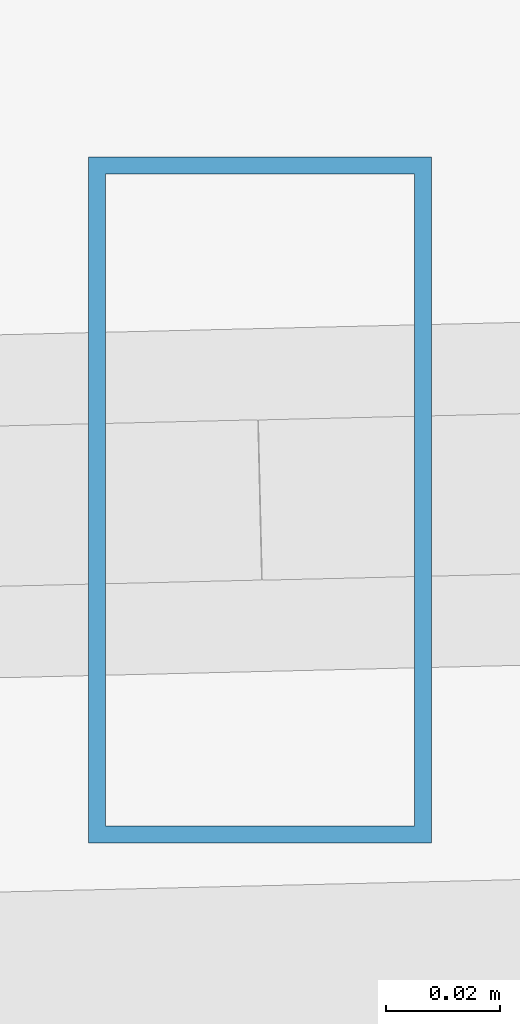
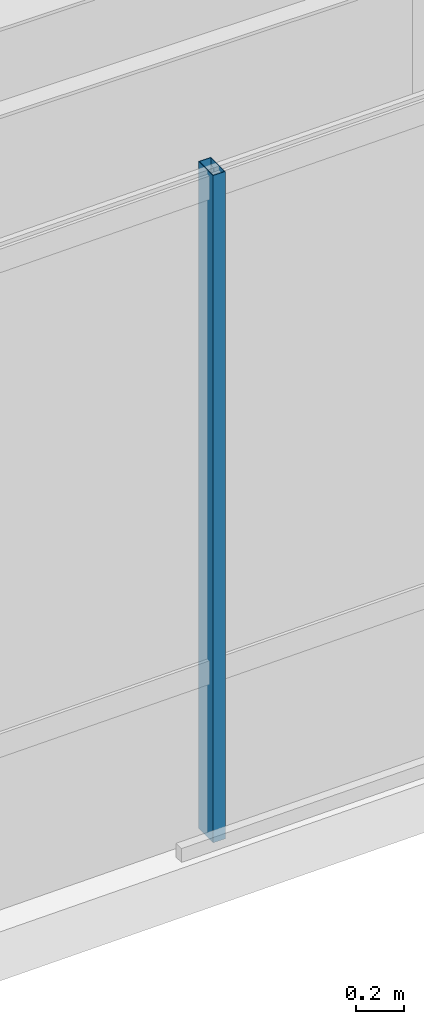
# One storey, part 5 of 45: 1 member, 1 element without a shape of its own.
"""IFC4 building model written with IfcOpenShell, lengths in metres."""

from ifc_helpers import new_model, si_unit, direction, frame, origin, origin_2d, place, context, subcontext, project, spatial, hollow_rectangle, extrude, source, transform, mapped, material, material_profile, profile_set, type_object, type_shapes, element, aggregate, save


model = new_model("IFC4")

# Units and contexts
model_context = context("Model", 3, precision=1e-05, world=origin(), true_north=direction((0.0, 1.0)))
body_context = subcontext(model_context, "Body", "Model", "MODEL_VIEW")
ifc_project = project(units=[si_unit("LENGTHUNIT", "METRE"), si_unit("AREAUNIT", "SQUARE_METRE"), si_unit("VOLUMEUNIT", "CUBIC_METRE"), si_unit("PLANEANGLEUNIT", "RADIAN"), si_unit("MASSUNIT", "GRAM", prefix="KILO")], contexts=[model_context])

# Site, building, storey
site_placement = place(None, origin())
site = spatial("IfcSite", under=ifc_project, at=site_placement, CompositionType="ELEMENT")
building_placement = place(site_placement, origin())
building = spatial("IfcBuilding", under=site, at=building_placement, Name="Caelisora Broadcast Tower", CompositionType="ELEMENT")
storey_placement = place(building_placement, frame((0.0, 0.0, 266.35009765625)))
storey = spatial("IfcBuildingStorey", under=building, at=storey_placement, Name="L70", CompositionType="ELEMENT", Elevation=266.35009765625)

# Curtain wall, member
ifc_material_1 = material(Name="Unitised Aluminium and Low-E Glass Curtain Wall", Category="glass")
curtain_wall_type = type_object("IfcCurtainWallType", Name="CW-Z5", PredefinedType="NOTDEFINED", material=ifc_material_1)
curtain_wall_placement = place(storey_placement, origin())
curtain_wall = element("IfcCurtainWall", 1, at=curtain_wall_placement, inside=storey, type_object=curtain_wall_type, Name="L70 curtain wall CW-Z5", PredefinedType="NOTDEFINED")
ifc_material_2 = material(Name="Aluminium 6063-T6 Anodised Terracotta Bronze", Category="aluminium")
ifc_material_profile = material_profile(ifc_material_2, hollow_rectangle(XDim=0.06005859375, YDim=0.1201171875, WallThickness=0.0029296875, at=origin_2d()), Name="Aluminium 6063-T6 Anodised Terracotta Bronze")
ifc_profile_set = profile_set([ifc_material_profile], Name="Aluminium 6063-T6 Anodised Terracotta Bronze")
member_type = type_object("IfcMemberType", Name="CWM-04", PredefinedType="MULLION", material=ifc_profile_set)
shared_shape = source(origin(), body_context, "Body", "SweptSolid", [
    extrude(hollow_rectangle(XDim=0.06005859375, YDim=0.1201171875, WallThickness=0.0029296875, at=origin_2d()), origin(), (0.0, 0.0, 1.0), 3.39990234375),
])
type_shapes(member_type, [shared_shape])
member_placement = place(storey_placement, frame((25.82421875, 8.193603515625, 0.0), z_axis=(0.0, 0.0, 1.0), x_axis=(1.0, 0.0, 0.0)))
member = element("IfcMember", 2, at=member_placement, type_object=member_type, Name="L70-CW-B07 mullion #1", PredefinedType="MULLION", context=body_context, shape_type="MappedRepresentation", body=[
    mapped(shared_shape, transform((0.0, 0.0, 0.0), scale=1.0)),
])
aggregate(curtain_wall, [member])

save(model, "model.ifc")
